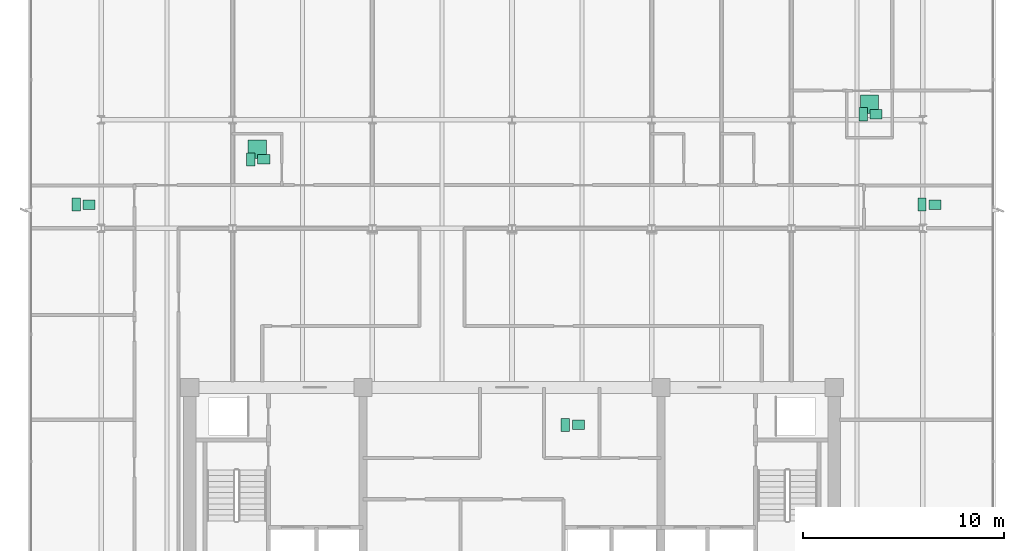
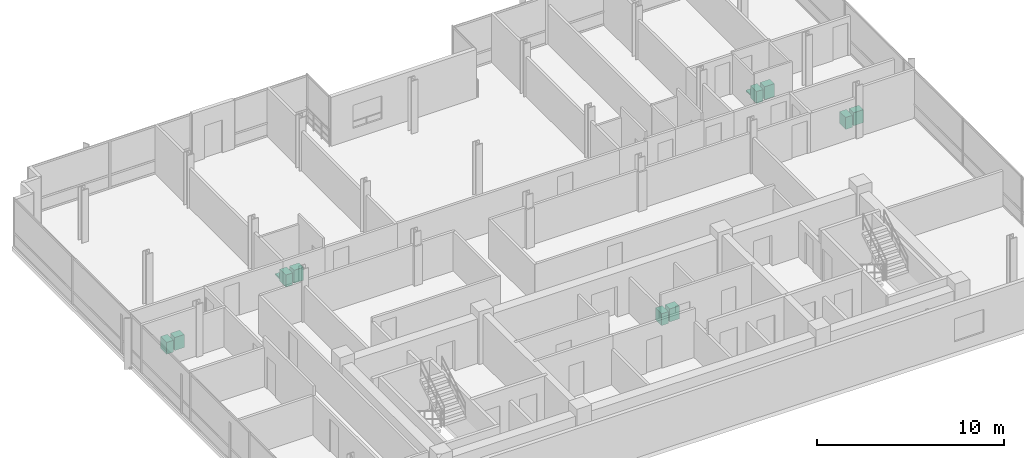
# One storey, part 17 of 17: 12 sanitary terminals.
"""IFC4 building model written with IfcOpenShell, lengths in metres."""

from ifc_helpers import new_model, si_unit, direction, frame, origin, origin_2d, place, context, subcontext, project, spatial, rectangle, extrude, material, type_object, element, save


model = new_model("IFC4")

# Units and contexts
model_context = context("Model", 3, precision=1e-05, world=origin(), true_north=direction((0.0, 1.0)))
body_context = subcontext(model_context, "Body", "Model", "MODEL_VIEW")
ifc_project = project(units=[si_unit("LENGTHUNIT", "METRE"), si_unit("AREAUNIT", "SQUARE_METRE"), si_unit("VOLUMEUNIT", "CUBIC_METRE"), si_unit("PLANEANGLEUNIT", "RADIAN"), si_unit("MASSUNIT", "GRAM", prefix="KILO")], contexts=[model_context])

# Site, building, storey
site_placement = place(None, origin())
site = spatial("IfcSite", under=ifc_project, at=site_placement, CompositionType="ELEMENT")
building_placement = place(site_placement, origin())
building = spatial("IfcBuilding", under=site, at=building_placement, Name="Solmavex Isthmus Hotel", CompositionType="ELEMENT")
storey_placement = place(building_placement, frame((0.0, 0.0, 266.10009765625)))
storey = spatial("IfcBuildingStorey", under=building, at=storey_placement, Name="L72", CompositionType="ELEMENT", Elevation=266.10009765625)

# Sanitary terminals
ifc_material = material(Name="Vitreous china ceramic", Category="ceramic")
sanitary_terminal_type_1 = type_object("IfcSanitaryTerminalType", Name="SAN-BASIN", PredefinedType="WASHHANDBASIN", material=ifc_material)
for number, where, z_axis, x_axis, name in (
    (1, (3.294921875, -4.360107421875, -0.000244140625), (0.0, 0.0, 1.0), (1.0, 0.0, 0.0), "Vanity Washbasin L72-367"),
    (2, (-12.326904296875, 8.824951171875, -0.000244140625), (0.0, 0.0, 1.0), (1.0, 0.0, 0.0), "Vanity Washbasin L72-368"),
    (3, (18.071044921875, 11.06298828125, -0.000244140625), (0.0, 0.0, 1.0), (1.0, 0.0, 0.0), "Vanity Washbasin L72-369"),
    (4, (-20.9951171875, 6.577392578125, -0.000244140625), (0.0, 0.0, 1.0), (1.0, 0.0, 0.0), "Vanity Washbasin L72-370"),
    (5, (20.99609375, 6.577392578125, -0.000244140625), (0.0, 0.0, 1.0), (1.0, 0.0, 0.0), "Vanity Washbasin L72-371"),
):
    element("IfcSanitaryTerminal", number, at=place(storey_placement, frame(where, z_axis=z_axis, x_axis=x_axis)), inside=storey, type_object=sanitary_terminal_type_1, Name=name, PredefinedType="WASHHANDBASIN", context=body_context, shape_type="SweptSolid", body=[
        extrude(rectangle(XDim=0.60009765625, YDim=0.47998046875, at=origin_2d()), origin(), (0.0, 0.0, 1.0), 0.85009765625),
    ])
sanitary_terminal_type_2 = type_object("IfcSanitaryTerminalType", Name="SAN-SHOWER", PredefinedType="SHOWER", material=ifc_material)
for number, where, z_axis, x_axis, name in (
    (6, (-12.64697265625, 9.324951171875, -0.000244140625), (0.0, 0.0, 1.0), (1.0, 0.0, 0.0), "Walk-In Shower L72-368"),
    (7, (17.7509765625, 11.56298828125, -0.000244140625), (0.0, 0.0, 1.0), (1.0, 0.0, 0.0), "Walk-In Shower L72-369"),
):
    element("IfcSanitaryTerminal", number, at=place(storey_placement, frame(where, z_axis=z_axis, x_axis=x_axis)), inside=storey, type_object=sanitary_terminal_type_2, Name=name, PredefinedType="SHOWER", context=body_context, shape_type="SweptSolid", body=[
        extrude(rectangle(XDim=0.89990234375, YDim=0.89990234375, at=origin_2d()), origin(), (0.0, 0.0, 1.0), 0.080078125),
    ])
sanitary_terminal_type_3 = type_object("IfcSanitaryTerminalType", Name="SAN-WC-SUITE", PredefinedType="TOILETPAN", material=ifc_material)
for number, where, z_axis, x_axis, name in (
    (8, (2.655029296875, -4.360107421875, 0.0), (0.0, 0.0, 1.0), (1.0, 0.0, 0.0), "Water Closet L72-367"),
    (9, (-12.967041015625, 8.824951171875, 0.0), (0.0, 0.0, 1.0), (1.0, 0.0, 0.0), "Water Closet L72-368"),
    (10, (17.430908203125, 11.06298828125, 0.0), (0.0, 0.0, 1.0), (1.0, 0.0, 0.0), "Water Closet L72-369"),
    (11, (-21.635009765625, 6.577392578125, 0.0), (0.0, 0.0, 1.0), (1.0, 0.0, 0.0), "Water Closet L72-370"),
    (12, (20.35595703125, 6.577392578125, 0.0), (0.0, 0.0, 1.0), (1.0, 0.0, 0.0), "Water Closet L72-371"),
):
    element("IfcSanitaryTerminal", number, at=place(storey_placement, frame(where, z_axis=z_axis, x_axis=x_axis)), inside=storey, type_object=sanitary_terminal_type_3, Name=name, PredefinedType="TOILETPAN", context=body_context, shape_type="SweptSolid", body=[
        extrude(rectangle(XDim=0.419921875, YDim=0.64990234375, at=origin_2d()), origin(), (0.0, 0.0, 1.0), 0.780029296875),
    ])

save(model, "model.ifc")
